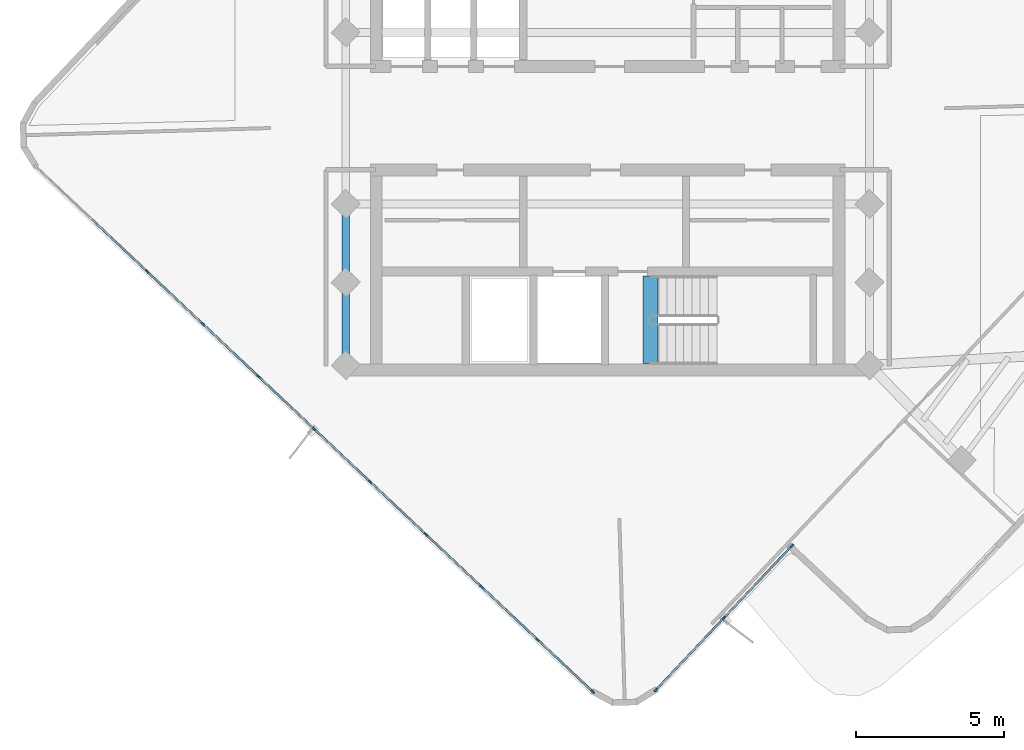
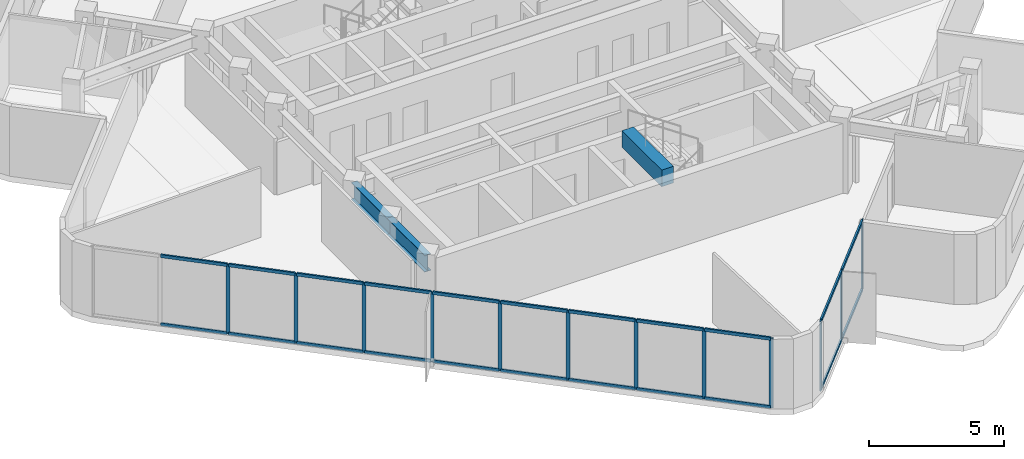
# One storey, part 2 of 10: 34 members, 3 beams, 2 elements without a shape of their own.
"""IFC4 building model written with IfcOpenShell, lengths in metres."""

from ifc_helpers import new_model, si_unit, direction, frame, origin, origin_2d, place, context, subcontext, project, spatial, rectangle, i_section, extrude, material, layer, layer_set, material_profile, profile_set, type_object, element, aggregate, save


model = new_model("IFC4")

# Units and contexts
model_context = context("Model", 3, precision=1e-05, world=origin(), true_north=direction((0.0, 1.0)))
body_context = subcontext(model_context, "Body", "Model", "MODEL_VIEW")
ifc_project = project(units=[si_unit("LENGTHUNIT", "METRE"), si_unit("AREAUNIT", "SQUARE_METRE"), si_unit("VOLUMEUNIT", "CUBIC_METRE"), si_unit("PLANEANGLEUNIT", "RADIAN"), si_unit("MASSUNIT", "GRAM", prefix="KILO")], contexts=[model_context])

# Site, building, storey
site_placement = place(None, origin())
site = spatial("IfcSite", under=ifc_project, at=site_placement, CompositionType="ELEMENT")
building_placement = place(site_placement, origin())
building = spatial("IfcBuilding", under=site, at=building_placement, Name="Solmarez Civic Tower", CompositionType="ELEMENT")
storey_placement = place(building_placement, frame((0.0, 0.0, 244.080078125)))
storey = spatial("IfcBuildingStorey", under=building, at=storey_placement, Name="L65", CompositionType="ELEMENT", Elevation=244.080078125)

# Beams
ifc_material_1 = material(Name="Concrete C50/60", Category="concrete")
ifc_material_profile_1 = material_profile(ifc_material_1, rectangle(XDim=0.5, YDim=0.75, at=origin_2d()), Name="RC500X750")
ifc_profile_set_1 = profile_set([ifc_material_profile_1], Name="Concrete C50/60")
beam_type_1 = type_object("IfcBeamType", Name="BM-PR-RC500X750", PredefinedType="BEAM", material=ifc_profile_set_1)
beam_1_placement = place(storey_placement, frame((1.449951171875, -8.300048828125, 3.052978515625), z_axis=(0.0, 1.0, 0.0), x_axis=(-1.0, 0.0, 0.0)))
element("IfcBeam", 1, at=beam_1_placement, inside=storey, type_object=beam_type_1, Name="L65 South Stair Threshold Beam", PredefinedType="BEAM", context=body_context, shape_type="SweptSolid", body=[
    extrude(rectangle(XDim=0.5, YDim=0.75, at=origin_2d()), origin(), (0.0, 0.0, 1.0), 2.9599609375),
])
ifc_material_2 = material(Name="Steel S355", Category="steel")
ifc_material_profile_2 = material_profile(ifc_material_2, i_section(OverallWidth=0.26708984375, OverallDepth=0.761962890625, WebThickness=0.014404296875, FlangeThickness=0.021484375, at=origin_2d()), Name="W30X116")
ifc_profile_set_2 = profile_set([ifc_material_profile_2], Name="Steel S355")
beam_type_2 = type_object("IfcBeamType", Name="BM-PR-W30X116", PredefinedType="BEAM", material=ifc_profile_set_2)
beam_2_placement = place(storey_placement, frame((-8.85009765625, -8.35009765625, 2.77880859375), z_axis=(0.0, 1.0, 0.0), x_axis=(-1.0, 0.0, 0.0)))
element("IfcBeam", 2, at=beam_2_placement, inside=storey, type_object=beam_type_2, Name="L65 Primary Floor Beam BM-L65-HC12-HC1", PredefinedType="BEAM", context=body_context, shape_type="SweptSolid", body=[
    extrude(i_section(OverallWidth=0.26708984375, OverallDepth=0.761962890625, WebThickness=0.014404296875, FlangeThickness=0.021484375, at=origin_2d()), origin(), (0.0, 0.0, 1.0), 2.800048828125),
])
beam_3_placement = place(storey_placement, frame((-8.85009765625, -5.550048828125, 2.77880859375), z_axis=(0.0, 1.0, 0.0), x_axis=(-1.0, 0.0, 0.0)))
element("IfcBeam", 3, at=beam_3_placement, inside=storey, type_object=beam_type_2, Name="L65 Primary Floor Beam BM-L65-HC1-HC2", PredefinedType="BEAM", context=body_context, shape_type="SweptSolid", body=[
    extrude(i_section(OverallWidth=0.26708984375, OverallDepth=0.761962890625, WebThickness=0.014404296875, FlangeThickness=0.021484375, at=origin_2d()), origin(), (0.0, 0.0, 1.0), 2.650146484375),
])

# Curtain wall, members
ifc_material_3 = material(Name="Bronze Anodised Aluminium EN AW-6063 T6", Category="aluminium")
ifc_layer = layer(ifc_material_3, 0.1650390625)
ifc_layer_set = layer_set([ifc_layer], Name="Bronze Anodised Aluminium EN AW-6063 T6")
curtain_wall_type = type_object("IfcCurtainWallType", Name="CW-SYS-4", PredefinedType="NOTDEFINED", material=ifc_layer_set)
curtain_wall_1_placement = place(storey_placement, origin())
curtain_wall_1 = element("IfcCurtainWall", 4, at=curtain_wall_1_placement, inside=storey, type_object=curtain_wall_type, Name="L65 Stick-Built Curtain Wall 1", PredefinedType="NOTDEFINED")
ifc_material_profile_3 = material_profile(ifc_material_3, rectangle(XDim=0.06005859375, YDim=0.14990234375, at=origin_2d()), Name="CWM-60X150")
ifc_profile_set_3 = profile_set([ifc_material_profile_3], Name="Bronze Anodised Aluminium EN AW-6063 T6")
member_type_1 = type_object("IfcMemberType", Name="CWM-TYPE-4", PredefinedType="MULLION", material=ifc_profile_set_3)
member_1_placement = place(storey_placement, frame((6.225341796875, -14.4609375, 0.0), z_axis=(0.0, 0.0, 1.0), x_axis=(0.727494217441, -0.686113812417, 0.0)))
member_1 = element("IfcMember", 5, at=member_1_placement, type_object=member_type_1, Name="CWS4 mullion 1", PredefinedType="MULLION", context=body_context, shape_type="SweptSolid", body=[
    extrude(rectangle(XDim=0.06005859375, YDim=0.14990234375, at=origin_2d()), origin(), (0.0, 0.0, 1.0), 3.159912109375),
])
member_2_placement = place(storey_placement, frame((3.93310546875, -16.8916015625, 0.0), z_axis=(0.0, 0.0, 1.0), x_axis=(0.727494217441, -0.686113812417, 0.0)))
member_2 = element("IfcMember", 6, at=member_2_placement, type_object=member_type_1, Name="CWS4 mullion 2", PredefinedType="MULLION", context=body_context, shape_type="SweptSolid", body=[
    extrude(rectangle(XDim=0.06005859375, YDim=0.14990234375, at=origin_2d()), origin(), (0.0, 0.0, 1.0), 3.159912109375),
])
member_3_placement = place(storey_placement, frame((1.640625, -19.322265625, 0.0), z_axis=(0.0, 0.0, 1.0), x_axis=(0.727494217441, -0.686113812417, 0.0)))
member_3 = element("IfcMember", 7, at=member_3_placement, type_object=member_type_1, Name="CWS4 mullion 3", PredefinedType="MULLION", context=body_context, shape_type="SweptSolid", body=[
    extrude(rectangle(XDim=0.06005859375, YDim=0.14990234375, at=origin_2d()), origin(), (0.0, 0.0, 1.0), 3.159912109375),
])

curtain_wall_2_placement = place(storey_placement, origin())
curtain_wall_2 = element("IfcCurtainWall", 8, at=curtain_wall_2_placement, inside=storey, type_object=curtain_wall_type, Name="L65 Stick-Built Curtain Wall 2", PredefinedType="NOTDEFINED")
member_4_placement = place(storey_placement, frame((-0.505859375, -19.384521484375, 0.0), z_axis=(0.0, 0.0, 1.0), x_axis=(-0.686068296306, -0.727537141873, 0.0)))
member_4 = element("IfcMember", 9, at=member_4_placement, type_object=member_type_1, Name="CWS4 mullion 1", PredefinedType="MULLION", context=body_context, shape_type="SweptSolid", body=[
    extrude(rectangle(XDim=0.06005859375, YDim=0.14990234375, at=origin_2d()), origin(), (0.0, 0.0, 1.0), 3.159912109375),
])
member_5_placement = place(storey_placement, frame((-2.3701171875, -17.62646484375, 0.0), z_axis=(0.0, 0.0, 1.0), x_axis=(-0.686068296306, -0.727537141873, 0.0)))
member_5 = element("IfcMember", 10, at=member_5_placement, type_object=member_type_1, Name="CWS4 mullion 2", PredefinedType="MULLION", context=body_context, shape_type="SweptSolid", body=[
    extrude(rectangle(XDim=0.06005859375, YDim=0.14990234375, at=origin_2d()), origin(), (0.0, 0.0, 1.0), 3.159912109375),
])
member_6_placement = place(storey_placement, frame((-4.256103515625, -15.847900390625, 0.0), z_axis=(0.0, 0.0, 1.0), x_axis=(-0.686068296306, -0.727537141873, 0.0)))
member_6 = element("IfcMember", 11, at=member_6_placement, type_object=member_type_1, Name="CWS4 mullion 3", PredefinedType="MULLION", context=body_context, shape_type="SweptSolid", body=[
    extrude(rectangle(XDim=0.06005859375, YDim=0.14990234375, at=origin_2d()), origin(), (0.0, 0.0, 1.0), 3.159912109375),
])
member_7_placement = place(storey_placement, frame((-6.14208984375, -14.069580078125, 0.0), z_axis=(0.0, 0.0, 1.0), x_axis=(-0.686068296306, -0.727537141873, 0.0)))
member_7 = element("IfcMember", 12, at=member_7_placement, type_object=member_type_1, Name="CWS4 mullion 4", PredefinedType="MULLION", context=body_context, shape_type="SweptSolid", body=[
    extrude(rectangle(XDim=0.06005859375, YDim=0.14990234375, at=origin_2d()), origin(), (0.0, 0.0, 1.0), 3.159912109375),
])
member_8_placement = place(storey_placement, frame((-8.028076171875, -12.291015625, 0.0), z_axis=(0.0, 0.0, 1.0), x_axis=(-0.686068296306, -0.727537141873, 0.0)))
member_8 = element("IfcMember", 13, at=member_8_placement, type_object=member_type_1, Name="CWS4 mullion 5", PredefinedType="MULLION", context=body_context, shape_type="SweptSolid", body=[
    extrude(rectangle(XDim=0.06005859375, YDim=0.14990234375, at=origin_2d()), origin(), (0.0, 0.0, 1.0), 3.159912109375),
])
member_9_placement = place(storey_placement, frame((-9.9140625, -10.512451171875, 0.0), z_axis=(0.0, 0.0, 1.0), x_axis=(-0.686068296306, -0.727537141873, 0.0)))
member_9 = element("IfcMember", 14, at=member_9_placement, type_object=member_type_1, Name="CWS4 mullion 6", PredefinedType="MULLION", context=body_context, shape_type="SweptSolid", body=[
    extrude(rectangle(XDim=0.06005859375, YDim=0.14990234375, at=origin_2d()), origin(), (0.0, 0.0, 1.0), 3.159912109375),
])
member_10_placement = place(storey_placement, frame((-11.800048828125, -8.73388671875, 0.0), z_axis=(0.0, 0.0, 1.0), x_axis=(-0.686068296306, -0.727537141873, 0.0)))
member_10 = element("IfcMember", 15, at=member_10_placement, type_object=member_type_1, Name="CWS4 mullion 7", PredefinedType="MULLION", context=body_context, shape_type="SweptSolid", body=[
    extrude(rectangle(XDim=0.06005859375, YDim=0.14990234375, at=origin_2d()), origin(), (0.0, 0.0, 1.0), 3.159912109375),
])
member_11_placement = place(storey_placement, frame((-13.68603515625, -6.95556640625, 0.0), z_axis=(0.0, 0.0, 1.0), x_axis=(-0.686068296306, -0.727537141873, 0.0)))
member_11 = element("IfcMember", 16, at=member_11_placement, type_object=member_type_1, Name="CWS4 mullion 8", PredefinedType="MULLION", context=body_context, shape_type="SweptSolid", body=[
    extrude(rectangle(XDim=0.06005859375, YDim=0.14990234375, at=origin_2d()), origin(), (0.0, 0.0, 1.0), 3.159912109375),
])
member_12_placement = place(storey_placement, frame((-15.572021484375, -5.177001953125, 0.0), z_axis=(0.0, 0.0, 1.0), x_axis=(-0.686068296306, -0.727537141873, 0.0)))
member_12 = element("IfcMember", 17, at=member_12_placement, type_object=member_type_1, Name="CWS4 mullion 9", PredefinedType="MULLION", context=body_context, shape_type="SweptSolid", body=[
    extrude(rectangle(XDim=0.06005859375, YDim=0.14990234375, at=origin_2d()), origin(), (0.0, 0.0, 1.0), 3.159912109375),
])

# Member
ifc_material_profile_4 = material_profile(ifc_material_3, rectangle(XDim=0.070068359375, YDim=0.139892578125, at=origin_2d()), Name="CWT-70X140")
ifc_profile_set_4 = profile_set([ifc_material_profile_4], Name="Bronze Anodised Aluminium EN AW-6063 T6")
member_type_2 = type_object("IfcMemberType", Name="CWT-TYPE-1", PredefinedType="USERDEFINED", material=ifc_profile_set_4)
member_13_placement = place(storey_placement, frame((6.204833984375, -14.482666015625, 0.034912109375), z_axis=(-0.686118653662, -0.72748965154, 0.0), x_axis=(0.72748965154, -0.686118653662, 0.0)))
member_13 = element("IfcMember", 18, at=member_13_placement, type_object=member_type_2, Name="CWS4 transom 1.1", ObjectType="TRANSOM", PredefinedType="USERDEFINED", context=body_context, shape_type="SweptSolid", body=[
    extrude(rectangle(XDim=0.070068359375, YDim=0.139892578125, at=origin_2d()), origin(), (0.0, 0.0, 1.0), 3.281005859375),
])

member_14_placement = place(storey_placement, frame((6.204833984375, -14.482666015625, 3.125), z_axis=(-0.686118653662, -0.72748965154, 0.0), x_axis=(0.72748965154, -0.686118653662, 0.0)))
member_14 = element("IfcMember", 19, at=member_14_placement, type_object=member_type_2, Name="CWS4 transom 1.2", ObjectType="TRANSOM", PredefinedType="USERDEFINED", context=body_context, shape_type="SweptSolid", body=[
    extrude(rectangle(XDim=0.070068359375, YDim=0.139892578125, at=origin_2d()), origin(), (0.0, 0.0, 1.0), 3.281005859375),
])

member_15_placement = place(storey_placement, frame((3.912353515625, -16.913330078125, 0.034912109375), z_axis=(-0.686118653662, -0.72748965154, 0.0), x_axis=(0.72748965154, -0.686118653662, 0.0)))
member_15 = element("IfcMember", 20, at=member_15_placement, type_object=member_type_2, Name="CWS4 transom 2.1", ObjectType="TRANSOM", PredefinedType="USERDEFINED", context=body_context, shape_type="SweptSolid", body=[
    extrude(rectangle(XDim=0.070068359375, YDim=0.139892578125, at=origin_2d()), origin(), (0.0, 0.0, 1.0), 3.281005859375),
])

member_16_placement = place(storey_placement, frame((3.912353515625, -16.913330078125, 3.125), z_axis=(-0.686118653662, -0.72748965154, 0.0), x_axis=(0.72748965154, -0.686118653662, 0.0)))
member_16 = element("IfcMember", 21, at=member_16_placement, type_object=member_type_2, Name="CWS4 transom 2.2", ObjectType="TRANSOM", PredefinedType="USERDEFINED", context=body_context, shape_type="SweptSolid", body=[
    extrude(rectangle(XDim=0.070068359375, YDim=0.139892578125, at=origin_2d()), origin(), (0.0, 0.0, 1.0), 3.281005859375),
])

aggregate(curtain_wall_1, [member_1, member_2, member_3, member_13, member_14, member_15, member_16])

member_17_placement = place(storey_placement, frame((-0.527587890625, -19.36376953125, 0.034912109375), z_axis=(-0.727535140756, 0.686070418372, 0.0), x_axis=(-0.686070418372, -0.727535140756, 0.0)))
member_17 = element("IfcMember", 22, at=member_17_placement, type_object=member_type_2, Name="CWS4 transom 1.1", ObjectType="TRANSOM", PredefinedType="USERDEFINED", context=body_context, shape_type="SweptSolid", body=[
    extrude(rectangle(XDim=0.070068359375, YDim=0.139892578125, at=origin_2d()), origin(), (0.0, 0.0, 1.0), 2.50244140625),
])

member_18_placement = place(storey_placement, frame((-0.527587890625, -19.36376953125, 3.125), z_axis=(-0.727535140756, 0.686070418372, 0.0), x_axis=(-0.686070418372, -0.727535140756, 0.0)))
member_18 = element("IfcMember", 23, at=member_18_placement, type_object=member_type_2, Name="CWS4 transom 1.2", ObjectType="TRANSOM", PredefinedType="USERDEFINED", context=body_context, shape_type="SweptSolid", body=[
    extrude(rectangle(XDim=0.070068359375, YDim=0.139892578125, at=origin_2d()), origin(), (0.0, 0.0, 1.0), 2.50244140625),
])

member_19_placement = place(storey_placement, frame((-2.391845703125, -17.60595703125, 0.034912109375), z_axis=(-0.72753165587, 0.686074113858, 0.0), x_axis=(-0.686074113858, -0.72753165587, 0.0)))
member_19 = element("IfcMember", 24, at=member_19_placement, type_object=member_type_2, Name="CWS4 transom 2.1", ObjectType="TRANSOM", PredefinedType="USERDEFINED", context=body_context, shape_type="SweptSolid", body=[
    extrude(rectangle(XDim=0.070068359375, YDim=0.139892578125, at=origin_2d()), origin(), (0.0, 0.0, 1.0), 2.5322265625),
])

member_20_placement = place(storey_placement, frame((-2.391845703125, -17.60595703125, 3.125), z_axis=(-0.72753165587, 0.686074113858, 0.0), x_axis=(-0.686074113858, -0.72753165587, 0.0)))
member_20 = element("IfcMember", 25, at=member_20_placement, type_object=member_type_2, Name="CWS4 transom 2.2", ObjectType="TRANSOM", PredefinedType="USERDEFINED", context=body_context, shape_type="SweptSolid", body=[
    extrude(rectangle(XDim=0.070068359375, YDim=0.139892578125, at=origin_2d()), origin(), (0.0, 0.0, 1.0), 2.5322265625),
])

member_21_placement = place(storey_placement, frame((-4.27783203125, -15.827392578125, 0.034912109375), z_axis=(-0.72753165587, 0.686074113858, 0.0), x_axis=(-0.686074113858, -0.72753165587, 0.0)))
member_21 = element("IfcMember", 26, at=member_21_placement, type_object=member_type_2, Name="CWS4 transom 3.1", ObjectType="TRANSOM", PredefinedType="USERDEFINED", context=body_context, shape_type="SweptSolid", body=[
    extrude(rectangle(XDim=0.070068359375, YDim=0.139892578125, at=origin_2d()), origin(), (0.0, 0.0, 1.0), 2.5322265625),
])

member_22_placement = place(storey_placement, frame((-4.27783203125, -15.827392578125, 3.125), z_axis=(-0.72753165587, 0.686074113858, 0.0), x_axis=(-0.686074113858, -0.72753165587, 0.0)))
member_22 = element("IfcMember", 27, at=member_22_placement, type_object=member_type_2, Name="CWS4 transom 3.2", ObjectType="TRANSOM", PredefinedType="USERDEFINED", context=body_context, shape_type="SweptSolid", body=[
    extrude(rectangle(XDim=0.070068359375, YDim=0.139892578125, at=origin_2d()), origin(), (0.0, 0.0, 1.0), 2.5322265625),
])

member_23_placement = place(storey_placement, frame((-6.163818359375, -14.048828125, 0.034912109375), z_axis=(-0.72753165587, 0.686074113858, 0.0), x_axis=(-0.686074113858, -0.72753165587, 0.0)))
member_23 = element("IfcMember", 28, at=member_23_placement, type_object=member_type_2, Name="CWS4 transom 4.1", ObjectType="TRANSOM", PredefinedType="USERDEFINED", context=body_context, shape_type="SweptSolid", body=[
    extrude(rectangle(XDim=0.070068359375, YDim=0.139892578125, at=origin_2d()), origin(), (0.0, 0.0, 1.0), 2.5322265625),
])

member_24_placement = place(storey_placement, frame((-6.163818359375, -14.048828125, 3.125), z_axis=(-0.72753165587, 0.686074113858, 0.0), x_axis=(-0.686074113858, -0.72753165587, 0.0)))
member_24 = element("IfcMember", 29, at=member_24_placement, type_object=member_type_2, Name="CWS4 transom 4.2", ObjectType="TRANSOM", PredefinedType="USERDEFINED", context=body_context, shape_type="SweptSolid", body=[
    extrude(rectangle(XDim=0.070068359375, YDim=0.139892578125, at=origin_2d()), origin(), (0.0, 0.0, 1.0), 2.5322265625),
])

member_25_placement = place(storey_placement, frame((-8.0498046875, -12.2705078125, 0.034912109375), z_axis=(-0.72753165587, 0.686074113858, 0.0), x_axis=(-0.686074113858, -0.72753165587, 0.0)))
member_25 = element("IfcMember", 30, at=member_25_placement, type_object=member_type_2, Name="CWS4 transom 5.1", ObjectType="TRANSOM", PredefinedType="USERDEFINED", context=body_context, shape_type="SweptSolid", body=[
    extrude(rectangle(XDim=0.070068359375, YDim=0.139892578125, at=origin_2d()), origin(), (0.0, 0.0, 1.0), 2.5322265625),
])

member_26_placement = place(storey_placement, frame((-8.0498046875, -12.2705078125, 3.125), z_axis=(-0.72753165587, 0.686074113858, 0.0), x_axis=(-0.686074113858, -0.72753165587, 0.0)))
member_26 = element("IfcMember", 31, at=member_26_placement, type_object=member_type_2, Name="CWS4 transom 5.2", ObjectType="TRANSOM", PredefinedType="USERDEFINED", context=body_context, shape_type="SweptSolid", body=[
    extrude(rectangle(XDim=0.070068359375, YDim=0.139892578125, at=origin_2d()), origin(), (0.0, 0.0, 1.0), 2.5322265625),
])

member_27_placement = place(storey_placement, frame((-9.935791015625, -10.491943359375, 0.034912109375), z_axis=(-0.72753165587, 0.686074113858, 0.0), x_axis=(-0.686074113858, -0.72753165587, 0.0)))
member_27 = element("IfcMember", 32, at=member_27_placement, type_object=member_type_2, Name="CWS4 transom 6.1", ObjectType="TRANSOM", PredefinedType="USERDEFINED", context=body_context, shape_type="SweptSolid", body=[
    extrude(rectangle(XDim=0.070068359375, YDim=0.139892578125, at=origin_2d()), origin(), (0.0, 0.0, 1.0), 2.5322265625),
])

member_28_placement = place(storey_placement, frame((-9.935791015625, -10.491943359375, 3.125), z_axis=(-0.72753165587, 0.686074113858, 0.0), x_axis=(-0.686074113858, -0.72753165587, 0.0)))
member_28 = element("IfcMember", 33, at=member_28_placement, type_object=member_type_2, Name="CWS4 transom 6.2", ObjectType="TRANSOM", PredefinedType="USERDEFINED", context=body_context, shape_type="SweptSolid", body=[
    extrude(rectangle(XDim=0.070068359375, YDim=0.139892578125, at=origin_2d()), origin(), (0.0, 0.0, 1.0), 2.5322265625),
])

member_29_placement = place(storey_placement, frame((-11.82177734375, -8.71337890625, 0.034912109375), z_axis=(-0.72753165587, 0.686074113858, 0.0), x_axis=(-0.686074113858, -0.72753165587, 0.0)))
member_29 = element("IfcMember", 34, at=member_29_placement, type_object=member_type_2, Name="CWS4 transom 7.1", ObjectType="TRANSOM", PredefinedType="USERDEFINED", context=body_context, shape_type="SweptSolid", body=[
    extrude(rectangle(XDim=0.070068359375, YDim=0.139892578125, at=origin_2d()), origin(), (0.0, 0.0, 1.0), 2.5322265625),
])

member_30_placement = place(storey_placement, frame((-11.82177734375, -8.71337890625, 3.125), z_axis=(-0.72753165587, 0.686074113858, 0.0), x_axis=(-0.686074113858, -0.72753165587, 0.0)))
member_30 = element("IfcMember", 35, at=member_30_placement, type_object=member_type_2, Name="CWS4 transom 7.2", ObjectType="TRANSOM", PredefinedType="USERDEFINED", context=body_context, shape_type="SweptSolid", body=[
    extrude(rectangle(XDim=0.070068359375, YDim=0.139892578125, at=origin_2d()), origin(), (0.0, 0.0, 1.0), 2.5322265625),
])

member_31_placement = place(storey_placement, frame((-13.707763671875, -6.934814453125, 0.034912109375), z_axis=(-0.72757703242, 0.686025992143, 0.0), x_axis=(-0.686025992143, -0.72757703242, 0.0)))
member_31 = element("IfcMember", 36, at=member_31_placement, type_object=member_type_2, Name="CWS4 transom 8.1", ObjectType="TRANSOM", PredefinedType="USERDEFINED", context=body_context, shape_type="SweptSolid", body=[
    extrude(rectangle(XDim=0.070068359375, YDim=0.139892578125, at=origin_2d()), origin(), (0.0, 0.0, 1.0), 2.532470703125),
])

member_32_placement = place(storey_placement, frame((-13.707763671875, -6.934814453125, 3.125), z_axis=(-0.72757703242, 0.686025992143, 0.0), x_axis=(-0.686025992143, -0.72757703242, 0.0)))
member_32 = element("IfcMember", 37, at=member_32_placement, type_object=member_type_2, Name="CWS4 transom 8.2", ObjectType="TRANSOM", PredefinedType="USERDEFINED", context=body_context, shape_type="SweptSolid", body=[
    extrude(rectangle(XDim=0.070068359375, YDim=0.139892578125, at=origin_2d()), origin(), (0.0, 0.0, 1.0), 2.532470703125),
])

member_33_placement = place(storey_placement, frame((-15.59375, -5.156494140625, 0.034912109375), z_axis=(-0.72757703242, 0.686025992143, 0.0), x_axis=(-0.686025992143, -0.72757703242, 0.0)))
member_33 = element("IfcMember", 38, at=member_33_placement, type_object=member_type_2, Name="CWS4 transom 9.1", ObjectType="TRANSOM", PredefinedType="USERDEFINED", context=body_context, shape_type="SweptSolid", body=[
    extrude(rectangle(XDim=0.070068359375, YDim=0.139892578125, at=origin_2d()), origin(), (0.0, 0.0, 1.0), 2.532470703125),
])

member_34_placement = place(storey_placement, frame((-15.59375, -5.156494140625, 3.125), z_axis=(-0.72757703242, 0.686025992143, 0.0), x_axis=(-0.686025992143, -0.72757703242, 0.0)))
member_34 = element("IfcMember", 39, at=member_34_placement, type_object=member_type_2, Name="CWS4 transom 9.2", ObjectType="TRANSOM", PredefinedType="USERDEFINED", context=body_context, shape_type="SweptSolid", body=[
    extrude(rectangle(XDim=0.070068359375, YDim=0.139892578125, at=origin_2d()), origin(), (0.0, 0.0, 1.0), 2.532470703125),
])

aggregate(curtain_wall_2, [member_4, member_5, member_6, member_7, member_8, member_9, member_10, member_11, member_12, member_17, member_18, member_19, member_20, member_21, member_22, member_23, member_24, member_25, member_26, member_27, member_28, member_29, member_30, member_31, member_32, member_33, member_34])

save(model, "model.ifc")
